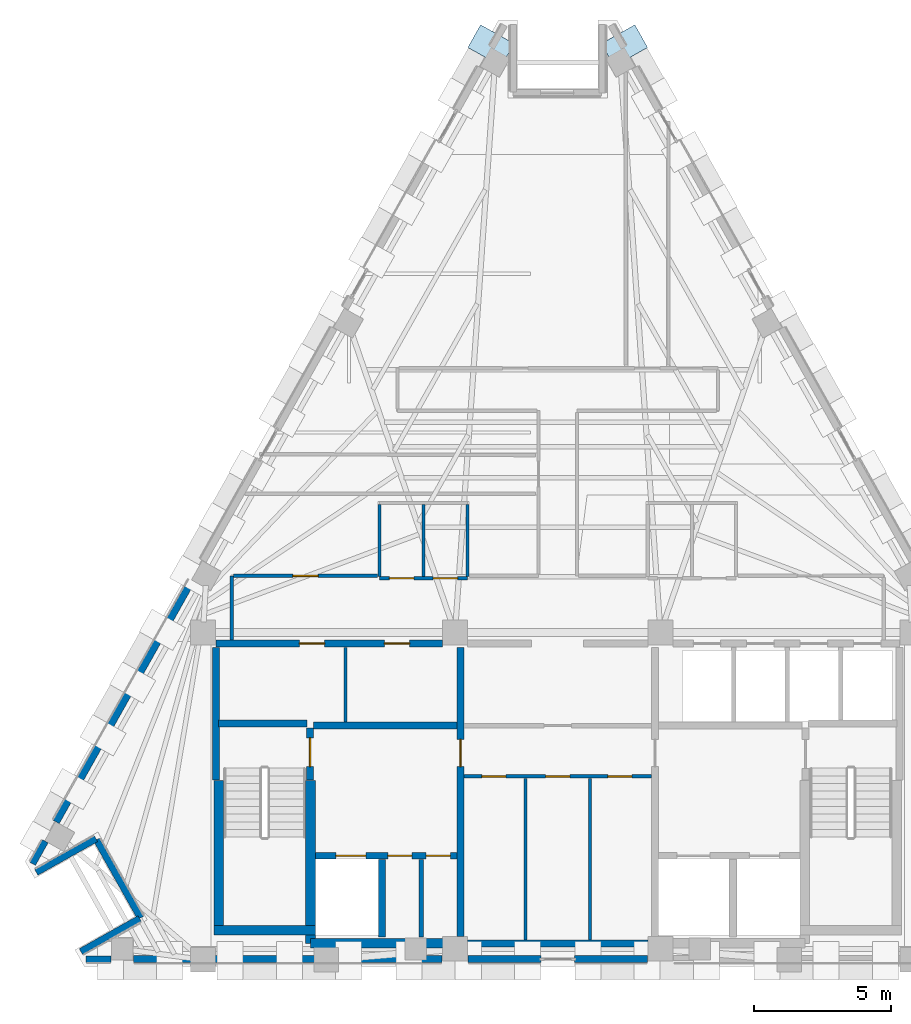
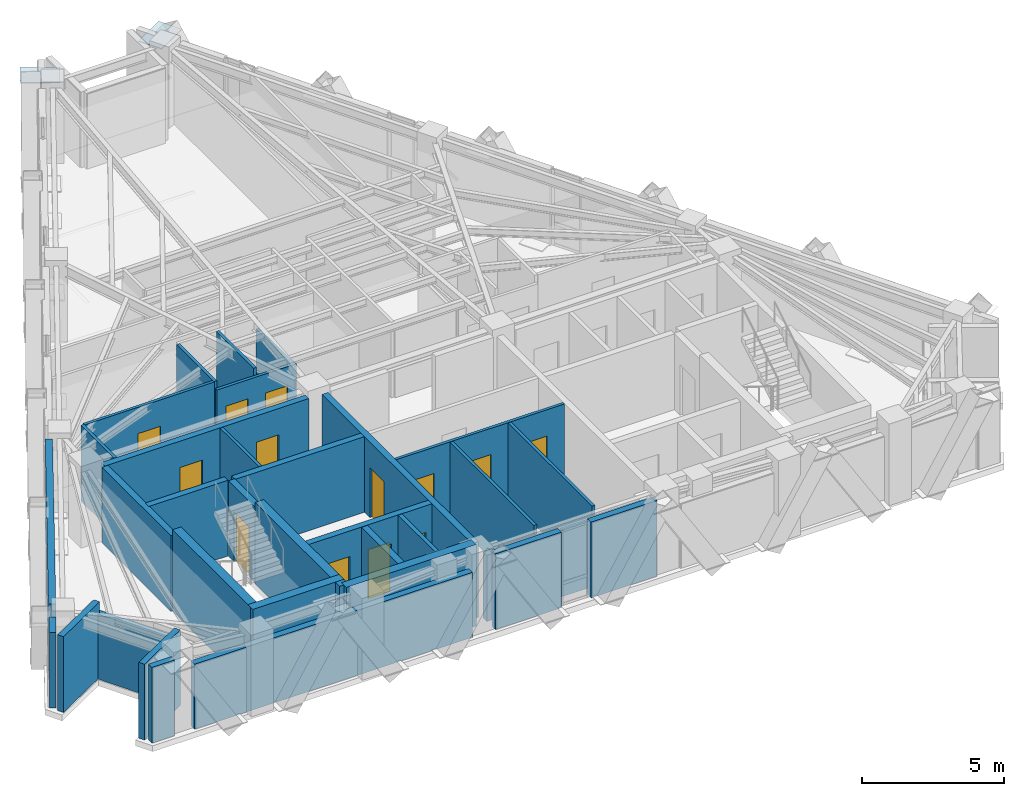
# One storey, part 5 of 9: 33 walls, 13 doors, 2 plates, 13 openings.
"""IFC4 building model written with IfcOpenShell, lengths in metres."""

from ifc_helpers import new_model, si_unit, direction, frame, frame_2d, origin, origin_2d, place, context, subcontext, project, spatial, rectangle, extrude, material, layer, layer_set, type_object, element, fill, save


model = new_model("IFC4")

# Units and contexts
model_context = context("Model", 3, precision=1e-05, world=origin(), true_north=direction((0.0, 1.0)))
body_context = subcontext(model_context, "Body", "Model", "MODEL_VIEW")
ifc_project = project(units=[si_unit("LENGTHUNIT", "METRE"), si_unit("AREAUNIT", "SQUARE_METRE"), si_unit("VOLUMEUNIT", "CUBIC_METRE"), si_unit("PLANEANGLEUNIT", "RADIAN"), si_unit("MASSUNIT", "GRAM", prefix="KILO")], contexts=[model_context])

# Site, building, storey
site_placement = place(None, origin())
site = spatial("IfcSite", under=ifc_project, at=site_placement, CompositionType="ELEMENT")
building_placement = place(site_placement, origin())
building = spatial("IfcBuilding", under=site, at=building_placement, Name="Quenlor Broadcast Tower", CompositionType="ELEMENT")
storey_placement = place(building_placement, frame((0.0, 0.0, 256.89990234375)))
storey = spatial("IfcBuildingStorey", under=building, at=storey_placement, Name="L71", CompositionType="ELEMENT", Elevation=256.89990234375)

# Plates
ifc_material_1 = material(Name="Steel S355", Category="steel")
ifc_layer_1 = layer(ifc_material_1, 0.035888671875)
ifc_layer_set_1 = layer_set([ifc_layer_1], Name="Transfer Truss Steel S355 Gusset Node Plate 1400x950x36")
plate_type = type_object("IfcPlateType", Name="Transfer Truss Steel S355 Gusset Node Plate 1400x950x36", PredefinedType="SHEET", material=ifc_layer_set_1)
for number, where, z_axis, x_axis, name in (
    (1, (2.438232421875, 16.626708984375, 3.18212890625), (0.0, 0.0, 1.0), (0.871556314255, 0.490295412055, 0.0), "L71 Lattice Tie Gusset Node NE-T0"),
    (2, (-2.438232421875, 16.626708984375, 3.18212890625), (0.0, 0.0, 1.0), (-0.871556314255, 0.490295412055, 0.0), "L71 Lattice Tie Gusset Node NW-T15"),
):
    element("IfcPlate", number, at=place(storey_placement, frame(where, z_axis=z_axis, x_axis=x_axis)), inside=storey, type_object=plate_type, Name=name, PredefinedType="SHEET", context=body_context, shape_type="SweptSolid", body=[
        extrude(rectangle(XDim=1.39990234375, YDim=0.949951171875, at=origin_2d()), origin(), (0.0, 0.0, 1.0), 0.035888671875),
    ])

# Walls
ifc_material_2 = material(Name="Concrete C50/60", Category="concrete")
ifc_layer_2 = layer(ifc_material_2, 0.35009765625)
ifc_layer_set_2 = layer_set([ifc_layer_2], Name="Core Concrete C50/60 Shear Wall 350")
wall_type_1 = type_object("IfcWallType", Name="Core Concrete C50/60 Shear Wall 350", PredefinedType="SHEAR", material=ifc_layer_set_2)
wall_1_placement = place(storey_placement, frame((-12.550048828125, -15.675048828125, 0.0), z_axis=(0.0, 0.0, 1.0), x_axis=(1.0, 0.0, 0.0)))
element("IfcWall", 3, at=wall_1_placement, inside=storey, type_object=wall_type_1, Name="L71 Core Shear Wall WS-W1", PredefinedType="SHEAR", context=body_context, shape_type="SweptSolid", body=[
    extrude(rectangle(XDim=3.699951171875, YDim=0.35009765625, at=frame_2d((1.85009765625, 0.0))), origin(), (0.0, 0.0, 1.0), 3.5),
])
wall_2_placement = place(storey_placement, frame((-9.02490234375, -16.14990234375, 0.0), z_axis=(0.0, 0.0, 1.0), x_axis=(1.0, 0.0, 0.0)))
element("IfcWall", 4, at=wall_2_placement, inside=storey, type_object=wall_type_1, Name="L71 Core Shear Wall WS-W2", PredefinedType="SHEAR", context=body_context, shape_type="SweptSolid", body=[
    extrude(rectangle(XDim=5.27490234375, YDim=0.35009765625, at=frame_2d((2.637451171875, 0.0))), origin(), (0.0, 0.0, 1.0), 3.5),
])
wall_3_placement = place(storey_placement, frame((-12.375, -15.675048828125, 0.0), z_axis=(0.0, 0.0, 1.0), x_axis=(0.0, 1.0, 0.0)))
element("IfcWall", 5, at=wall_3_placement, inside=storey, type_object=wall_type_1, Name="L71 Core Shear Wall WF-W", PredefinedType="SHEAR", context=body_context, shape_type="SweptSolid", body=[
    extrude(rectangle(XDim=5.47509765625, YDim=0.35009765625, at=frame_2d((2.737548828125, 0.0))), origin(), (0.0, 0.0, 1.0), 3.5),
])
wall_4_placement = place(storey_placement, frame((-9.02490234375, -16.14990234375, 0.0), z_axis=(0.0, 0.0, 1.0), x_axis=(0.0, 1.0, 0.0)))
element("IfcWall", 6, at=wall_4_placement, inside=storey, type_object=wall_type_1, Name="L71 Core Shear Wall WI-W", PredefinedType="SHEAR", context=body_context, shape_type="SweptSolid", body=[
    extrude(rectangle(XDim=5.949951171875, YDim=0.35009765625, at=frame_2d((2.97509765625, 0.0))), origin(), (0.0, 0.0, 1.0), 3.5),
])

# Wall, opening, door
ifc_material_3 = material(Name="Concrete C40/50", Category="concrete")
ifc_layer_3 = layer(ifc_material_3, 0.25)
ifc_layer_set_3 = layer_set([ifc_layer_3], Name="Fire Rated Concrete C40/50 Core Wall 250")
wall_type_2 = type_object("IfcWallType", Name="Fire Rated Concrete C40/50 Core Wall 250", PredefinedType="PARTITIONING", material=ifc_layer_set_3)
wall_5_placement = place(storey_placement, frame((-9.0400390625, -10.179931640625, 0.0), z_axis=(0.0, 0.0, 1.0), x_axis=(0.0, 1.0, 0.0)))
wall_5 = element("IfcWall", 7, at=wall_5_placement, inside=storey, type_object=wall_type_2, Name="L71 Interior Wall CW-ST1-DR", PredefinedType="PARTITIONING", context=body_context, shape_type="SweptSolid", body=[
    extrude(rectangle(XDim=1.89990234375, YDim=0.25, at=frame_2d((0.949951171875, 0.0))), origin(), (0.0, 0.0, 1.0), 3.25),
])
opening_1_placement = place(wall_5_placement, frame((0.47998046875, 0.0, 0.0)))
opening_1 = element("IfcOpeningElement", 8, at=opening_1_placement, cuts=wall_5, Name="Opening FD-1", PredefinedType="OPENING", context=body_context, shape_type="SweptSolid", body=[
    extrude(rectangle(XDim=1.050048828125, YDim=2.14990234375, at=frame_2d((0.52490234375, 1.074951171875))), frame((0.0, 0.135009765625, 0.0), z_axis=(0.0, -1.0, 0.0), x_axis=(1.0, 0.0, 0.0)), (0.0, 0.0, 1.0), 0.27001953125),
])
ifc_material_4 = material(Name="Fire Rated Steel Door Leaf", Category="steel")
door_type_1 = type_object("IfcDoorType", Name="Fire Isolated Stair Door 1050x2150", OperationType="NOTDEFINED", PredefinedType="DOOR", material=ifc_material_4)
door_1_placement = place(opening_1_placement, origin())
door_1 = element("IfcDoor", 9, at=door_1_placement, inside=storey, type_object=door_type_1, Name="L71 Door DR-ST1", OperationType="SINGLE_SWING_LEFT", OverallHeight=2.14990234375, OverallWidth=1.050048828125, PredefinedType="DOOR", context=body_context, shape_type="SweptSolid", body=[
    extrude(rectangle(XDim=1.050048828125, YDim=2.14990234375, at=frame_2d((0.52490234375, 1.074951171875))), frame((0.0, 0.02490234375, 0.0), z_axis=(0.0, -1.0, 0.0), x_axis=(1.0, 0.0, 0.0)), (0.0, 0.0, 1.0), 0.050048828125),
])
fill(opening_1, door_1)

# Walls
wall_6_placement = place(storey_placement, frame((-12.3798828125, -8.1201171875, 0.0), z_axis=(0.0, 0.0, 1.0), x_axis=(1.0, 0.0, 0.0)))
element("IfcWall", 10, at=wall_6_placement, inside=storey, type_object=wall_type_2, Name="L71 Interior Wall CW-ST1-N", PredefinedType="PARTITIONING", context=body_context, shape_type="SweptSolid", body=[
    extrude(rectangle(XDim=3.219970703125, YDim=0.25, at=frame_2d((1.60986328125, 0.0))), origin(), (0.0, 0.0, 1.0), 3.25),
])
wall_7_placement = place(storey_placement, frame((-12.47998046875, -10.179931640625, 0.0), z_axis=(0.0, 0.0, 1.0), x_axis=(0.0, 1.0, 0.0)))
element("IfcWall", 11, at=wall_7_placement, inside=storey, type_object=wall_type_2, Name="L71 Interior Wall CW-ST1-W2", PredefinedType="PARTITIONING", context=body_context, shape_type="SweptSolid", body=[
    extrude(rectangle(XDim=4.83984375, YDim=0.25, at=frame_2d((2.419921875, 0.0))), origin(), (0.0, 0.0, 1.0), 3.25),
])

# Wall, openings, doors
wall_8_placement = place(storey_placement, frame((-8.847900390625, -12.949951171875, 0.0), z_axis=(0.0, 0.0, 1.0), x_axis=(1.0, 0.0, 0.0)))
wall_8 = element("IfcWall", 12, at=wall_8_placement, inside=storey, type_object=wall_type_2, Name="L71 Interior Wall CW-FFW-S", PredefinedType="PARTITIONING", context=body_context, shape_type="SweptSolid", body=[
    extrude(rectangle(XDim=5.16796875, YDim=0.25, at=frame_2d((2.583984375, 0.0))), origin(), (0.0, 0.0, 1.0), 3.25),
])
opening_2_placement = place(wall_8_placement, frame((0.748046875, 0.0, 0.0)))
opening_2 = element("IfcOpeningElement", 13, at=opening_2_placement, cuts=wall_8, Name="Opening LD-FFL-1", PredefinedType="OPENING", context=body_context, shape_type="SweptSolid", body=[
    extrude(rectangle(XDim=1.10009765625, YDim=2.14990234375, at=frame_2d((0.550048828125, 1.074951171875))), frame((0.0, 0.135009765625, 0.0), z_axis=(0.0, -1.0, 0.0), x_axis=(1.0, 0.0, 0.0)), (0.0, 0.0, 1.0), 0.27001953125),
])
opening_3_placement = place(wall_8_placement, frame((2.64794921875, 0.0, 0.0)))
opening_3 = element("IfcOpeningElement", 14, at=opening_3_placement, cuts=wall_8, Name="Opening TD-1", PredefinedType="OPENING", context=body_context, shape_type="SweptSolid", body=[
    extrude(rectangle(XDim=0.8798828125, YDim=2.10009765625, at=frame_2d((0.43994140625, 1.050048828125))), frame((0.0, 0.135009765625, 0.0), z_axis=(0.0, -1.0, 0.0), x_axis=(1.0, 0.0, 0.0)), (0.0, 0.0, 1.0), 0.27001953125),
])
opening_4_placement = place(wall_8_placement, frame((4.048095703125, 0.0, 0.0)))
opening_4 = element("IfcOpeningElement", 15, at=opening_4_placement, cuts=wall_8, Name="Opening TD-1", PredefinedType="OPENING", context=body_context, shape_type="SweptSolid", body=[
    extrude(rectangle(XDim=0.8798828125, YDim=2.10009765625, at=frame_2d((0.43994140625, 1.050048828125))), frame((0.0, 0.135009765625, 0.0), z_axis=(0.0, -1.0, 0.0), x_axis=(1.0, 0.0, 0.0)), (0.0, 0.0, 1.0), 0.27001953125),
])
ifc_material_5 = material(Name="Brushed Stainless Steel", Category="steel")
door_type_2 = type_object("IfcDoorType", Name="Emergency Lift Sliding Landing Door 1100x2150", OperationType="NOTDEFINED", PredefinedType="DOOR", material=ifc_material_5)
door_2_placement = place(opening_2_placement, origin())
door_2 = element("IfcDoor", 16, at=door_2_placement, inside=storey, type_object=door_type_2, Name="L71 Door LD-FFL-1", OperationType="SLIDING_TO_LEFT", OverallHeight=2.14990234375, OverallWidth=1.10009765625, PredefinedType="DOOR", context=body_context, shape_type="SweptSolid", body=[
    extrude(rectangle(XDim=1.10009765625, YDim=2.14990234375, at=frame_2d((0.550048828125, 1.074951171875))), frame((0.0, 0.02490234375, 0.0), z_axis=(0.0, -1.0, 0.0), x_axis=(1.0, 0.0, 0.0)), (0.0, 0.0, 1.0), 0.050048828125),
])
fill(opening_2, door_2)
ifc_material_6 = material(Name="Fire Rated Steel Access Panel", Category="steel")
door_type_3 = type_object("IfcDoorType", Name="Riser Shaft Rated Access Trapdoor 880x2100", OperationType="NOTDEFINED", PredefinedType="TRAPDOOR", material=ifc_material_6)
door_3_placement = place(opening_3_placement, origin())
door_3 = element("IfcDoor", 17, at=door_3_placement, inside=storey, type_object=door_type_3, Name="L71 Door DR-ELR", OperationType="SINGLE_SWING_LEFT", OverallHeight=2.10009765625, OverallWidth=0.8798828125, PredefinedType="TRAPDOOR", context=body_context, shape_type="SweptSolid", body=[
    extrude(rectangle(XDim=0.8798828125, YDim=2.10009765625, at=frame_2d((0.43994140625, 1.050048828125))), frame((0.0, 0.02490234375, 0.0), z_axis=(0.0, -1.0, 0.0), x_axis=(1.0, 0.0, 0.0)), (0.0, 0.0, 1.0), 0.050048828125),
])
fill(opening_3, door_3)
door_4_placement = place(opening_4_placement, origin())
door_4 = element("IfcDoor", 18, at=door_4_placement, inside=storey, type_object=door_type_3, Name="L71 Door DR-CMR", OperationType="SINGLE_SWING_RIGHT", OverallHeight=2.10009765625, OverallWidth=0.8798828125, PredefinedType="TRAPDOOR", context=body_context, shape_type="SweptSolid", body=[
    extrude(rectangle(XDim=0.8798828125, YDim=2.10009765625, at=frame_2d((0.43994140625, 1.050048828125))), frame((0.0, 0.02490234375, 0.0), z_axis=(0.0, -1.0, 0.0), x_axis=(1.0, 0.0, 0.0)), (0.0, 0.0, 1.0), 0.050048828125),
])
fill(opening_4, door_4)

# Walls
wall_9_placement = place(storey_placement, frame((-6.419921875, -15.919921875, 0.0), z_axis=(0.0, 0.0, 1.0), x_axis=(0.0, 1.0, 0.0)))
element("IfcWall", 19, at=wall_9_placement, inside=storey, type_object=wall_type_2, Name="L71 Interior Wall CW-FF1-E", PredefinedType="PARTITIONING", context=body_context, shape_type="SweptSolid", body=[
    extrude(rectangle(XDim=2.829833984375, YDim=0.25, at=frame_2d((1.4150390625, 0.0))), origin(), (0.0, 0.0, 1.0), 3.25),
])
wall_10_placement = place(storey_placement, frame((-8.919921875, -8.199951171875, 0.0), z_axis=(0.0, 0.0, 1.0), x_axis=(1.0, 0.0, 0.0)))
element("IfcWall", 20, at=wall_10_placement, inside=storey, type_object=wall_type_2, Name="L71 Interior Wall CW-FFW-N", PredefinedType="PARTITIONING", context=body_context, shape_type="SweptSolid", body=[
    extrude(rectangle(XDim=5.239990234375, YDim=0.25, at=frame_2d((2.6201171875, 0.0))), origin(), (0.0, 0.0, 1.0), 3.25),
])

# Wall, opening, door
wall_11_placement = place(storey_placement, frame((-3.550048828125, -15.89794921875, 0.0), z_axis=(0.0, 0.0, 1.0), x_axis=(0.0, 1.0, 0.0)))
wall_11 = element("IfcWall", 21, at=wall_11_placement, inside=storey, type_object=wall_type_2, Name="L71 Interior Wall CW-FFW-E", PredefinedType="PARTITIONING", context=body_context, shape_type="SweptSolid", body=[
    extrude(rectangle(XDim=10.557861328125, YDim=0.25, at=frame_2d((5.27880859375, 0.0))), origin(), (0.0, 0.0, 1.0), 3.25),
])
opening_5_placement = place(wall_11_placement, frame((6.197998046875, 0.0, 0.0)))
opening_5 = element("IfcOpeningElement", 22, at=opening_5_placement, cuts=wall_11, Name="Opening FD-2", PredefinedType="OPENING", context=body_context, shape_type="SweptSolid", body=[
    extrude(rectangle(XDim=1.0, YDim=2.14990234375, at=frame_2d((0.5, 1.074951171875))), frame((0.0, 0.135009765625, 0.0), z_axis=(0.0, -1.0, 0.0), x_axis=(1.0, 0.0, 0.0)), (0.0, 0.0, 1.0), 0.27001953125),
])
ifc_material_7 = material(Name="Fire Rated Glazed Steel Door", Category="steel")
door_type_4 = type_object("IfcDoorType", Name="Firefighting Lobby Smoke Door 1000x2150", OperationType="NOTDEFINED", PredefinedType="DOOR", material=ifc_material_7)
door_5_placement = place(opening_5_placement, origin())
door_5 = element("IfcDoor", 23, at=door_5_placement, inside=storey, type_object=door_type_4, Name="L71 Door DR-FFLW", OperationType="SINGLE_SWING_RIGHT", OverallHeight=2.14990234375, OverallWidth=1.0, PredefinedType="DOOR", context=body_context, shape_type="SweptSolid", body=[
    extrude(rectangle(XDim=1.0, YDim=2.14990234375, at=frame_2d((0.5, 1.074951171875))), frame((0.0, 0.02490234375, 0.0), z_axis=(0.0, -1.0, 0.0), x_axis=(1.0, 0.0, 0.0)), (0.0, 0.0, 1.0), 0.050048828125),
])
fill(opening_5, door_5)

# Wall, openings, doors
wall_12_placement = place(storey_placement, frame((-12.47998046875, -5.199951171875, 0.0), z_axis=(0.0, 0.0, 1.0), x_axis=(1.0, 0.0, 0.0)))
wall_12 = element("IfcWall", 24, at=wall_12_placement, inside=storey, type_object=wall_type_2, Name="L71 Interior Wall CW-N-W", PredefinedType="PARTITIONING", context=body_context, shape_type="SweptSolid", body=[
    extrude(rectangle(XDim=8.278076171875, YDim=0.25, at=frame_2d((4.13916015625, 0.0))), origin(), (0.0, 0.0, 1.0), 3.25),
])
opening_6_placement = place(wall_12_placement, frame((3.050048828125, 0.0, 0.0)))
opening_6 = element("IfcOpeningElement", 25, at=opening_6_placement, cuts=wall_12, Name="Opening ID-1", PredefinedType="OPENING", context=body_context, shape_type="SweptSolid", body=[
    extrude(rectangle(XDim=0.919921875, YDim=2.1201171875, at=frame_2d((0.4599609375, 1.06005859375))), frame((0.0, 0.135009765625, 0.0), z_axis=(0.0, -1.0, 0.0), x_axis=(1.0, 0.0, 0.0)), (0.0, 0.0, 1.0), 0.27001953125),
])
opening_7_placement = place(wall_12_placement, frame((6.14990234375, 0.0, 0.0)))
opening_7 = element("IfcOpeningElement", 26, at=opening_7_placement, cuts=wall_12, Name="Opening ID-1", PredefinedType="OPENING", context=body_context, shape_type="SweptSolid", body=[
    extrude(rectangle(XDim=0.919921875, YDim=2.1201171875, at=frame_2d((0.4599609375, 1.06005859375))), frame((0.0, 0.135009765625, 0.0), z_axis=(0.0, -1.0, 0.0), x_axis=(1.0, 0.0, 0.0)), (0.0, 0.0, 1.0), 0.27001953125),
])
ifc_material_8 = material(Name="Solid Core Timber Oak", Category="wood")
door_type_5 = type_object("IfcDoorType", Name="Single Leaf Timber Office Door 920x2120", OperationType="NOTDEFINED", PredefinedType="DOOR", material=ifc_material_8)
door_6_placement = place(opening_6_placement, origin())
door_6 = element("IfcDoor", 27, at=door_6_placement, inside=storey, type_object=door_type_5, Name="L71 Door DR-RCL1", OperationType="SINGLE_SWING_LEFT", OverallHeight=2.1201171875, OverallWidth=0.919921875, PredefinedType="DOOR", context=body_context, shape_type="SweptSolid", body=[
    extrude(rectangle(XDim=0.919921875, YDim=2.1201171875, at=frame_2d((0.4599609375, 1.06005859375))), frame((0.0, 0.02490234375, 0.0), z_axis=(0.0, -1.0, 0.0), x_axis=(1.0, 0.0, 0.0)), (0.0, 0.0, 1.0), 0.050048828125),
])
fill(opening_6, door_6)
door_7_placement = place(opening_7_placement, origin())
door_7 = element("IfcDoor", 28, at=door_7_placement, inside=storey, type_object=door_type_5, Name="L71 Door DR-RCL2", OperationType="SINGLE_SWING_RIGHT", OverallHeight=2.1201171875, OverallWidth=0.919921875, PredefinedType="DOOR", context=body_context, shape_type="SweptSolid", body=[
    extrude(rectangle(XDim=0.919921875, YDim=2.1201171875, at=frame_2d((0.4599609375, 1.06005859375))), frame((0.0, 0.02490234375, 0.0), z_axis=(0.0, -1.0, 0.0), x_axis=(1.0, 0.0, 0.0)), (0.0, 0.0, 1.0), 0.050048828125),
])
fill(opening_7, door_7)

# Walls
wall_13_placement = place(storey_placement, frame((-3.298095703125, -16.14990234375, 0.0), z_axis=(0.0, 0.0, 1.0), x_axis=(1.0, 0.0, 0.0)))
element("IfcWall", 29, at=wall_13_placement, inside=storey, type_object=wall_type_2, Name="L71 Interior Wall CW-MS-S", PredefinedType="PARTITIONING", context=body_context, shape_type="SweptSolid", body=[
    extrude(rectangle(XDim=6.59619140625, YDim=0.25, at=frame_2d((3.298095703125, 0.0))), origin(), (0.0, 0.0, 1.0), 2.84375),
])
ifc_material_9 = material(Name="Gypsum Fireboard Partition", Category="other")
ifc_layer_4 = layer(ifc_material_9, 0.159912109375)
ifc_layer_set_4 = layer_set([ifc_layer_4], Name="Fire Rated Shaft and Corridor Partition 160")
wall_type_3 = type_object("IfcWallType", Name="Fire Rated Shaft and Corridor Partition 160", PredefinedType="PARTITIONING", material=ifc_layer_set_4)
wall_14_placement = place(storey_placement, frame((-4.97998046875, -15.919921875, 0.0), z_axis=(0.0, 0.0, 1.0), x_axis=(0.0, 1.0, 0.0)))
element("IfcWall", 30, at=wall_14_placement, inside=storey, type_object=wall_type_3, Name="L71 Interior Wall CW-ELR-E", PredefinedType="PARTITIONING", context=body_context, shape_type="SweptSolid", body=[
    extrude(rectangle(XDim=2.829833984375, YDim=0.159912109375, at=frame_2d((1.4150390625, 0.0))), origin(), (0.0, 0.0, 1.0), 3.25),
])
ifc_material_10 = material(Name="Gypsum Plasterboard Partition", Category="other")
ifc_layer_5 = layer(ifc_material_10, 0.1201171875)
ifc_layer_set_5 = layer_set([ifc_layer_5], Name="Standard Office Partition 120")
wall_type_4 = type_object("IfcWallType", Name="Standard Office Partition 120", PredefinedType="PARTITIONING", material=ifc_layer_set_5)
wall_15_placement = place(storey_placement, frame((-7.75, -8.072998046875, 0.0), z_axis=(0.0, 0.0, 1.0), x_axis=(0.0, 1.0, 0.0)))
element("IfcWall", 31, at=wall_15_placement, inside=storey, type_object=wall_type_4, Name="L71 Interior Wall CW-RCL-MID", PredefinedType="PARTITIONING", context=body_context, shape_type="SweptSolid", body=[
    extrude(rectangle(XDim=2.73291015625, YDim=0.1201171875, at=frame_2d((1.366455078125, 0.0))), origin(), (0.0, 0.0, 1.0), 3.25),
])

# Wall, openings, doors
wall_16_placement = place(storey_placement, frame((-3.419921875, -10.050048828125, 0.0), z_axis=(0.0, 0.0, 1.0), x_axis=(1.0, 0.0, 0.0)))
wall_16 = element("IfcWall", 32, at=wall_16_placement, inside=storey, type_object=wall_type_4, Name="L71 Interior Wall CW-MS-N", PredefinedType="PARTITIONING", context=body_context, shape_type="SweptSolid", body=[
    extrude(rectangle(XDim=6.83984375, YDim=0.1201171875, at=frame_2d((3.419921875, 0.0))), origin(), (0.0, 0.0, 1.0), 3.25),
])
opening_8_placement = place(wall_16_placement, frame((0.64990234375, 0.0, 0.0)))
opening_8 = element("IfcOpeningElement", 33, at=opening_8_placement, cuts=wall_16, Name="Opening ID-4", PredefinedType="OPENING", context=body_context, shape_type="SweptSolid", body=[
    extrude(rectangle(XDim=0.8798828125, YDim=2.1201171875, at=frame_2d((0.43994140625, 1.06005859375))), frame((0.0, 0.070068359375, 0.0), z_axis=(0.0, -1.0, 0.0), x_axis=(1.0, 0.0, 0.0)), (0.0, 0.0, 1.0), 0.14013671875),
])
opening_9_placement = place(wall_16_placement, frame((2.97998046875, 0.0, 0.0)))
opening_9 = element("IfcOpeningElement", 34, at=opening_9_placement, cuts=wall_16, Name="Opening ID-4", PredefinedType="OPENING", context=body_context, shape_type="SweptSolid", body=[
    extrude(rectangle(XDim=0.8798828125, YDim=2.1201171875, at=frame_2d((0.43994140625, 1.06005859375))), frame((0.0, 0.070068359375, 0.0), z_axis=(0.0, -1.0, 0.0), x_axis=(1.0, 0.0, 0.0)), (0.0, 0.0, 1.0), 0.14013671875),
])
opening_10_placement = place(wall_16_placement, frame((5.25, 0.0, 0.0)))
opening_10 = element("IfcOpeningElement", 35, at=opening_10_placement, cuts=wall_16, Name="Opening ID-4", PredefinedType="OPENING", context=body_context, shape_type="SweptSolid", body=[
    extrude(rectangle(XDim=0.8798828125, YDim=2.1201171875, at=frame_2d((0.43994140625, 1.06005859375))), frame((0.0, 0.070068359375, 0.0), z_axis=(0.0, -1.0, 0.0), x_axis=(1.0, 0.0, 0.0)), (0.0, 0.0, 1.0), 0.14013671875),
])
ifc_material_11 = material(Name="Solid Core Timber Oak", Category="wood")
door_type_6 = type_object("IfcDoorType", Name="Service Closet Timber Door 880x2120", OperationType="NOTDEFINED", PredefinedType="DOOR", material=ifc_material_11)
door_8_placement = place(opening_8_placement, origin())
door_8 = element("IfcDoor", 36, at=door_8_placement, inside=storey, type_object=door_type_6, Name="L71 Door DR-RCMA", OperationType="SINGLE_SWING_LEFT", OverallHeight=2.1201171875, OverallWidth=0.8798828125, PredefinedType="DOOR", context=body_context, shape_type="SweptSolid", body=[
    extrude(rectangle(XDim=0.8798828125, YDim=2.1201171875, at=frame_2d((0.43994140625, 1.06005859375))), frame((0.0, 0.02490234375, 0.0), z_axis=(0.0, -1.0, 0.0), x_axis=(1.0, 0.0, 0.0)), (0.0, 0.0, 1.0), 0.050048828125),
])
fill(opening_8, door_8)
door_9_placement = place(opening_9_placement, origin())
door_9 = element("IfcDoor", 37, at=door_9_placement, inside=storey, type_object=door_type_6, Name="L71 Door DR-RCMV", OperationType="SINGLE_SWING_LEFT", OverallHeight=2.1201171875, OverallWidth=0.8798828125, PredefinedType="DOOR", context=body_context, shape_type="SweptSolid", body=[
    extrude(rectangle(XDim=0.8798828125, YDim=2.1201171875, at=frame_2d((0.43994140625, 1.06005859375))), frame((0.0, 0.02490234375, 0.0), z_axis=(0.0, -1.0, 0.0), x_axis=(1.0, 0.0, 0.0)), (0.0, 0.0, 1.0), 0.050048828125),
])
fill(opening_9, door_9)
door_10_placement = place(opening_10_placement, origin())
door_10 = element("IfcDoor", 38, at=door_10_placement, inside=storey, type_object=door_type_6, Name="L71 Door DR-RCMB", OperationType="SINGLE_SWING_RIGHT", OverallHeight=2.1201171875, OverallWidth=0.8798828125, PredefinedType="DOOR", context=body_context, shape_type="SweptSolid", body=[
    extrude(rectangle(XDim=0.8798828125, YDim=2.1201171875, at=frame_2d((0.43994140625, 1.06005859375))), frame((0.0, 0.02490234375, 0.0), z_axis=(0.0, -1.0, 0.0), x_axis=(1.0, 0.0, 0.0)), (0.0, 0.0, 1.0), 0.050048828125),
])
fill(opening_10, door_10)

# Walls
for number, where, z_axis, x_axis, name in (
    (39, (-1.179931640625, -16.02001953125, 0.0), (0.0, 0.0, 1.0), (0.0, 1.0, 0.0), "L71 Interior Wall CW-RCM-W3"),
    (40, (1.179931640625, -16.02001953125, 0.0), (0.0, 0.0, 1.0), (0.0, 1.0, 0.0), "L71 Interior Wall CW-RCM-E3"),
):
    element("IfcWall", number, at=place(storey_placement, frame(where, z_axis=z_axis, x_axis=x_axis)), inside=storey, type_object=wall_type_4, Name=name, PredefinedType="PARTITIONING", context=body_context, shape_type="SweptSolid", body=[
        extrude(rectangle(XDim=5.89013671875, YDim=0.1201171875, at=frame_2d((2.945068359375, 0.0))), origin(), (0.0, 0.0, 1.0), 3.25),
    ])

# Wall, openings, doors
wall_17_placement = place(storey_placement, frame((-6.510009765625, -2.820068359375, 0.0), z_axis=(0.0, 0.0, 1.0), x_axis=(1.0, 0.0, 0.0)))
wall_17 = element("IfcWall", 41, at=wall_17_placement, inside=storey, type_object=wall_type_4, Name="L71 Interior Wall PW-WCW-S", PredefinedType="PARTITIONING", context=body_context, shape_type="SweptSolid", body=[
    extrude(rectangle(XDim=3.219970703125, YDim=0.1201171875, at=frame_2d((1.60986328125, 0.0))), origin(), (0.0, 0.0, 1.0), 2.94287109375),
])
opening_11_placement = place(wall_17_placement, frame((0.360107421875, 0.0, 0.0)))
opening_11 = element("IfcOpeningElement", 42, at=opening_11_placement, cuts=wall_17, Name="Opening ID-3", PredefinedType="OPENING", context=body_context, shape_type="SweptSolid", body=[
    extrude(rectangle(XDim=0.89990234375, YDim=2.1201171875, at=frame_2d((0.449951171875, 1.06005859375))), frame((0.0, 0.070068359375, 0.0), z_axis=(0.0, -1.0, 0.0), x_axis=(1.0, 0.0, 0.0)), (0.0, 0.0, 1.0), 0.14013671875),
])
opening_12_placement = place(wall_17_placement, frame((1.9599609375, 0.0, 0.0)))
opening_12 = element("IfcOpeningElement", 43, at=opening_12_placement, cuts=wall_17, Name="Opening ID-3", PredefinedType="OPENING", context=body_context, shape_type="SweptSolid", body=[
    extrude(rectangle(XDim=0.89990234375, YDim=2.1201171875, at=frame_2d((0.449951171875, 1.06005859375))), frame((0.0, 0.070068359375, 0.0), z_axis=(0.0, -1.0, 0.0), x_axis=(1.0, 0.0, 0.0)), (0.0, 0.0, 1.0), 0.14013671875),
])
ifc_material_12 = material(Name="Moisture Resistant Timber Oak", Category="wood")
door_type_7 = type_object("IfcDoorType", Name="Washroom Privacy Door 900x2120", OperationType="NOTDEFINED", PredefinedType="DOOR", material=ifc_material_12)
door_11_placement = place(opening_11_placement, origin())
door_11 = element("IfcDoor", 44, at=door_11_placement, inside=storey, type_object=door_type_7, Name="L71 Door DR-AWC", OperationType="SINGLE_SWING_LEFT", OverallHeight=2.1201171875, OverallWidth=0.89990234375, PredefinedType="DOOR", context=body_context, shape_type="SweptSolid", body=[
    extrude(rectangle(XDim=0.89990234375, YDim=2.1201171875, at=frame_2d((0.449951171875, 1.06005859375))), frame((0.0, 0.02490234375, 0.0), z_axis=(0.0, -1.0, 0.0), x_axis=(1.0, 0.0, 0.0)), (0.0, 0.0, 1.0), 0.050048828125),
])
fill(opening_11, door_11)
door_12_placement = place(opening_12_placement, origin())
door_12 = element("IfcDoor", 45, at=door_12_placement, inside=storey, type_object=door_type_7, Name="L71 Door DR-SHW", OperationType="SINGLE_SWING_RIGHT", OverallHeight=2.1201171875, OverallWidth=0.89990234375, PredefinedType="DOOR", context=body_context, shape_type="SweptSolid", body=[
    extrude(rectangle(XDim=0.89990234375, YDim=2.1201171875, at=frame_2d((0.449951171875, 1.06005859375))), frame((0.0, 0.02490234375, 0.0), z_axis=(0.0, -1.0, 0.0), x_axis=(1.0, 0.0, 0.0)), (0.0, 0.0, 1.0), 0.050048828125),
])
fill(opening_12, door_12)

# Walls
for number, where, z_axis, x_axis, name in (
    (46, (-6.510009765625, -2.758056640625, 0.0), (0.0, 0.0, 1.0), (0.0, 1.0, 0.0), "L71 Interior Wall PW-WCW-W"),
    (47, (-4.89990234375, -2.758056640625, 0.0), (0.0, 0.0, 1.0), (0.0, 1.0, 0.0), "L71 Interior Wall PW-WCW-M"),
):
    element("IfcWall", number, at=place(storey_placement, frame(where, z_axis=z_axis, x_axis=x_axis)), inside=storey, type_object=wall_type_4, Name=name, PredefinedType="PARTITIONING", context=body_context, shape_type="SweptSolid", body=[
        extrude(rectangle(XDim=2.6259765625, YDim=0.1201171875, at=frame_2d((1.31298828125, 0.0))), origin(), (0.0, 0.0, 1.0), 3.25),
    ])
wall_18_placement = place(storey_placement, frame((-3.2900390625, -2.758056640625, 0.0), z_axis=(0.0, 0.0, 1.0), x_axis=(0.0, 1.0, 0.0)))
element("IfcWall", 48, at=wall_18_placement, inside=storey, type_object=wall_type_4, Name="L71 Interior Wall PW-WCW-E", PredefinedType="PARTITIONING", context=body_context, shape_type="SweptSolid", body=[
    extrude(rectangle(XDim=2.6259765625, YDim=0.1201171875, at=frame_2d((1.31298828125, 0.0))), origin(), (0.0, 0.0, 1.0), 2.789794921875),
])
wall_19_placement = place(storey_placement, frame((-11.89990234375, -5.072998046875, 0.0), z_axis=(0.0, 0.0, 1.0), x_axis=(0.0, 1.0, 0.0)))
element("IfcWall", 49, at=wall_19_placement, inside=storey, type_object=wall_type_4, Name="L71 Interior Wall PW-CR-01", PredefinedType="PARTITIONING", context=body_context, shape_type="SweptSolid", body=[
    extrude(rectangle(XDim=2.343017578125, YDim=0.1201171875, at=frame_2d((1.17138671875, 0.0))), origin(), (0.0, 0.0, 1.0), 3.25),
])

# Wall, opening, door
wall_20_placement = place(storey_placement, frame((-11.837890625, -2.72998046875, 0.0), z_axis=(0.0, 0.0, 1.0), x_axis=(1.0, 0.0, 0.0)))
wall_20 = element("IfcWall", 50, at=wall_20_placement, inside=storey, type_object=wall_type_4, Name="L71 Interior Wall PW-CR-02", PredefinedType="PARTITIONING", context=body_context, shape_type="SweptSolid", body=[
    extrude(rectangle(XDim=5.265869140625, YDim=0.1201171875, at=frame_2d((2.6328125, 0.0))), origin(), (0.0, 0.0, 1.0), 3.25),
])
opening_13_placement = place(wall_20_placement, frame((2.16796875, 0.0, 0.0)))
opening_13 = element("IfcOpeningElement", 51, at=opening_13_placement, cuts=wall_20, Name="Opening ID-1", PredefinedType="OPENING", context=body_context, shape_type="SweptSolid", body=[
    extrude(rectangle(XDim=0.919921875, YDim=2.1201171875, at=frame_2d((0.4599609375, 1.06005859375))), frame((0.0, 0.070068359375, 0.0), z_axis=(0.0, -1.0, 0.0), x_axis=(1.0, 0.0, 0.0)), (0.0, 0.0, 1.0), 0.14013671875),
])
door_13_placement = place(opening_13_placement, origin())
door_13 = element("IfcDoor", 52, at=door_13_placement, inside=storey, type_object=door_type_5, Name="L71 Door DR-RM05", OperationType="SINGLE_SWING_LEFT", OverallHeight=2.1201171875, OverallWidth=0.919921875, PredefinedType="DOOR", context=body_context, shape_type="SweptSolid", body=[
    extrude(rectangle(XDim=0.919921875, YDim=2.1201171875, at=frame_2d((0.4599609375, 1.06005859375))), frame((0.0, 0.02490234375, 0.0), z_axis=(0.0, -1.0, 0.0), x_axis=(1.0, 0.0, 0.0)), (0.0, 0.0, 1.0), 0.050048828125),
])
fill(opening_13, door_13)

# Walls
ifc_material_13 = material(Name="Precast concrete C40/50", Category="concrete")
ifc_layer_6 = layer(ifc_material_13, 0.239990234375)
ifc_layer_set_6 = layer_set([ifc_layer_6], Name="Terrace Threshold Precast Concrete C40/50 Wall 240")
wall_type_5 = type_object("IfcWallType", Name="Terrace Threshold Precast Concrete C40/50 Wall 240", PredefinedType="STANDARD", material=ifc_layer_set_6)
wall_21_placement = place(storey_placement, frame((-16.302490234375, -16.72509765625, 0.0), z_axis=(0.0, 0.0, 1.0), x_axis=(-1.0, 0.0, 0.0)))
element("IfcWall", 53, at=wall_21_placement, inside=storey, type_object=wall_type_5, Name="L71 Exterior Wall L71-SHD-SS1", PredefinedType="STANDARD", context=body_context, shape_type="SweptSolid", body=[
    extrude(rectangle(XDim=0.91748046875, YDim=0.239990234375, at=frame_2d((0.458740234375, 0.0))), origin(), (0.0, 0.0, 1.0), 3.25),
])
wall_22_placement = place(storey_placement, frame((-19.1708984375, -13.242431640625, 0.0), z_axis=(0.0, 0.0, 1.0), x_axis=(0.490199895283, 0.871610040479, 0.0)))
element("IfcWall", 54, at=wall_22_placement, inside=storey, type_object=wall_type_5, Name="L71 Exterior Wall L71-SHD-NWS0", PredefinedType="STANDARD", context=body_context, shape_type="SweptSolid", body=[
    extrude(rectangle(XDim=0.94482421875, YDim=0.239990234375, at=frame_2d((0.472412109375, 0.0))), origin(), (0.0, 0.0, 1.0), 3.25),
])
wall_23_placement = place(storey_placement, frame((-19.033447265625, -13.556396484375, 0.0), z_axis=(0.0, 0.0, 1.0), x_axis=(0.871588577066, 0.490238056792, 0.0)))
element("IfcWall", 55, at=wall_23_placement, inside=storey, type_object=wall_type_5, Name="L71 Exterior Wall L71-CNR-13", PredefinedType="STANDARD", context=body_context, shape_type="SweptSolid", body=[
    extrude(rectangle(XDim=2.5, YDim=0.239990234375, at=frame_2d((1.25, 0.0))), origin(), (0.0, 0.0, 1.0), 3.25),
])
wall_24_placement = place(storey_placement, frame((-16.8349609375, -12.36572265625, 0.0), z_axis=(0.0, 0.0, 1.0), x_axis=(0.490293083368, -0.871557624258, 0.0)))
element("IfcWall", 56, at=wall_24_placement, inside=storey, type_object=wall_type_5, Name="L71 Exterior Wall L71-CNR-14", PredefinedType="STANDARD", context=body_context, shape_type="SweptSolid", body=[
    extrude(rectangle(XDim=3.276123046875, YDim=0.239990234375, at=frame_2d((1.63818359375, 0.0))), origin(), (0.0, 0.0, 1.0), 2.789794921875),
])
wall_25_placement = place(storey_placement, frame((-15.263671875, -15.240478515625, 0.0), z_axis=(0.0, 0.0, 1.0), x_axis=(-0.87157023615, -0.490270663468, 0.0)))
element("IfcWall", 57, at=wall_25_placement, inside=storey, type_object=wall_type_5, Name="L71 Exterior Wall L71-CNR-15", PredefinedType="STANDARD", context=body_context, shape_type="SweptSolid", body=[
    extrude(rectangle(XDim=2.4599609375, YDim=0.239990234375, at=frame_2d((1.22998046875, 0.0))), origin(), (0.0, 0.0, 1.0), 3.25),
])
ifc_material_14 = material(Name="Precast concrete C40/50", Category="concrete")
ifc_layer_7 = layer(ifc_material_14, 0.260009765625)
ifc_layer_set_7 = layer_set([ifc_layer_7], Name="Terracotta Precast Concrete C40/50 Upper Wall 260")
wall_type_6 = type_object("IfcWallType", Name="Terracotta Precast Concrete C40/50 Upper Wall 260", PredefinedType="STANDARD", material=ifc_layer_set_7)
wall_26_placement = place(storey_placement, frame((-4.219970703125, -16.72509765625, 0.0), z_axis=(0.0, 0.0, 1.0), x_axis=(-1.0, 0.0, 0.0)))
element("IfcWall", 58, at=wall_26_placement, inside=storey, type_object=wall_type_6, Name="L71 Exterior Wall L71-EW-SC", PredefinedType="STANDARD", context=body_context, shape_type="SweptSolid", body=[
    extrude(rectangle(XDim=11.272705078125, YDim=0.260009765625, at=frame_2d((5.63623046875, 0.0))), origin(), (0.0, 0.0, 1.0), 2.789794921875),
])
for number, where, z_axis, x_axis, name in (
    (59, (3.280029296875, -16.72509765625, 0.0), (0.0, 0.0, 1.0), (-1.0, 0.0, 0.0), "L71 Exterior Wall L71-S-SP1"),
    (60, (-0.605712890625, -16.72509765625, 0.0), (0.0, 0.0, 1.0), (-1.0, 0.0, 0.0), "L71 Exterior Wall L71-S-SP2"),
):
    element("IfcWall", number, at=place(storey_placement, frame(where, z_axis=z_axis, x_axis=x_axis)), inside=storey, type_object=wall_type_6, Name=name, PredefinedType="STANDARD", context=body_context, shape_type="SweptSolid", body=[
        extrude(rectangle(XDim=2.67431640625, YDim=0.260009765625, at=frame_2d((1.337158203125, 0.0))), origin(), (0.0, 0.0, 1.0), 3.25),
    ])
wall_27_placement = place(storey_placement, frame((-18.310546875, -11.712890625, 0.0), z_axis=(0.0, 0.0, 1.0), x_axis=(0.490266968583, 0.871572314565, 0.0)))
element("IfcWall", 61, at=wall_27_placement, inside=storey, type_object=wall_type_6, Name="L71 Exterior Wall L71-EW-NWA", PredefinedType="STANDARD", context=body_context, shape_type="SweptSolid", body=[
    extrude(rectangle(XDim=10.116455078125, YDim=0.260009765625, at=frame_2d((5.05810546875, 0.0))), origin(), (0.0, 0.0, 1.0), 3.25),
])

save(model, "model.ifc")
